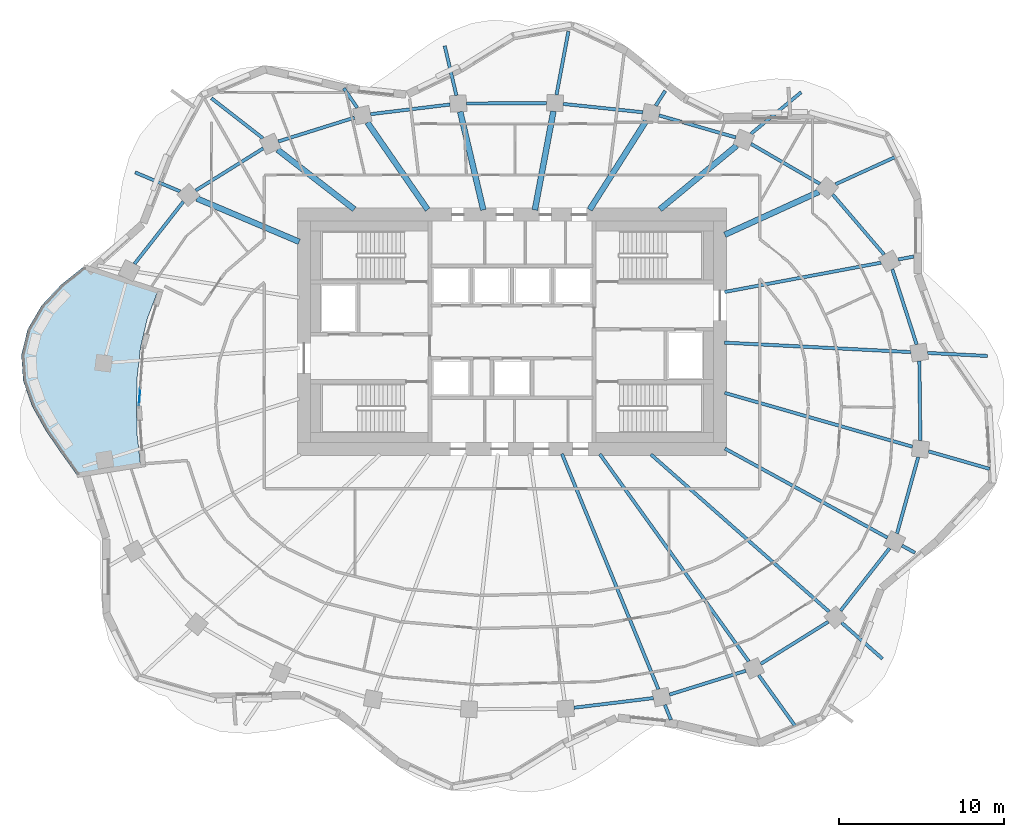
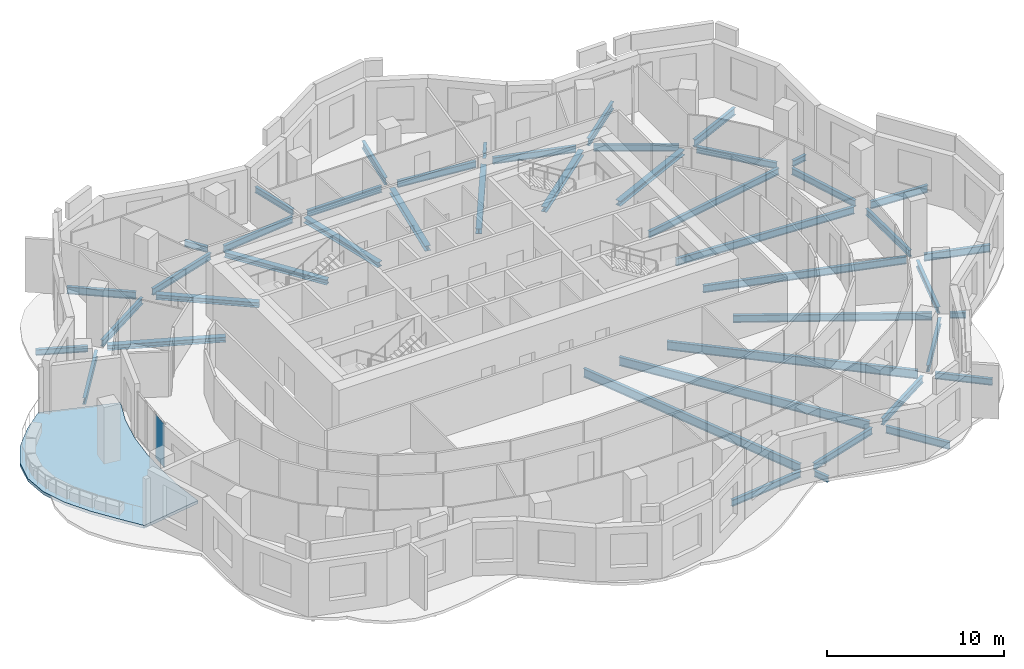
# One storey, part 3 of 13: 46 beams, 1 plate, 1 slab, 1 element without a shape of its own.
"""IFC4 building model written with IfcOpenShell, lengths in metres."""

from ifc_helpers import new_model, si_unit, direction, frame, origin, origin_2d, place, context, subcontext, project, spatial, polyline, rectangle, i_section, outline, extrude, material, layer, layer_set, material_profile, profile_set, type_object, element, aggregate, save


model = new_model("IFC4")

# Units and contexts
model_context = context("Model", 3, precision=1e-05, world=origin(), true_north=direction((0.0, 1.0)))
body_context = subcontext(model_context, "Body", "Model", "MODEL_VIEW")
ifc_project = project(units=[si_unit("LENGTHUNIT", "METRE"), si_unit("AREAUNIT", "SQUARE_METRE"), si_unit("VOLUMEUNIT", "CUBIC_METRE"), si_unit("PLANEANGLEUNIT", "RADIAN"), si_unit("MASSUNIT", "GRAM", prefix="KILO")], contexts=[model_context])

# Site, building, storey
site_placement = place(None, origin())
site = spatial("IfcSite", under=ifc_project, at=site_placement, CompositionType="ELEMENT")
building_placement = place(site_placement, origin())
building = spatial("IfcBuilding", under=site, at=building_placement, Name="Rubra Terraces Tower", CompositionType="ELEMENT")
storey_placement = place(building_placement, frame((0.0, 0.0, 209.10009765625)))
storey = spatial("IfcBuildingStorey", under=building, at=storey_placement, Name="L51", CompositionType="ELEMENT", Elevation=209.10009765625)

# Beams
ifc_material_1 = material(Name="Steel Q355B", Category="steel")
ifc_material_profile_1 = material_profile(ifc_material_1, i_section(OverallWidth=0.199951171875, OverallDepth=0.39990234375, WebThickness=0.008056640625, FlangeThickness=0.012939453125, at=origin_2d()), Name="HN 400x200x8x13")
ifc_profile_set_1 = profile_set([ifc_material_profile_1], Name="Steel Q355B")
beam_type_1 = type_object("IfcBeamType", Name="CANTILEVER BEAM HN 400x200x8x13", PredefinedType="BEAM", material=ifc_profile_set_1)
beam_1_placement = place(storey_placement, frame((-3.3701171875, 18.823974609375, -0.400146484375), z_axis=(-0.229158621159, 0.973389092988, 0.0), x_axis=(-0.973389092988, -0.229158621159, 0.0)))
element("IfcBeam", 1, at=beam_1_placement, inside=storey, type_object=beam_type_1, Name="beam-L51-cant-07", PredefinedType="BEAM", context=body_context, shape_type="SweptSolid", body=[
    extrude(i_section(OverallWidth=0.199951171875, OverallDepth=0.39990234375, WebThickness=0.008056640625, FlangeThickness=0.012939453125, at=origin_2d()), origin(), (0.0, 0.0, 1.0), 3.080078125),
])
beam_2_placement = place(storey_placement, frame((-20.10205078125, 13.0048828125, -0.400146484375), z_axis=(-0.920868185487, 0.389874062946, 0.0), x_axis=(-0.389874062946, -0.920868185487, 0.0)))
element("IfcBeam", 2, at=beam_2_placement, inside=storey, type_object=beam_type_1, Name="beam-L51-cant-10", PredefinedType="BEAM", context=body_context, shape_type="SweptSolid", body=[
    extrude(i_section(OverallWidth=0.199951171875, OverallDepth=0.39990234375, WebThickness=0.008056640625, FlangeThickness=0.012939453125, at=origin_2d()), origin(), (0.0, 0.0, 1.0), 2.9599609375),
])
ifc_material_profile_2 = material_profile(ifc_material_1, i_section(OverallWidth=0.198974609375, OverallDepth=0.446044921875, WebThickness=0.008056640625, FlangeThickness=0.011962890625, at=origin_2d()), Name="HN 446x199x8x12")
ifc_profile_set_2 = profile_set([ifc_material_profile_2], Name="Steel Q355B")
beam_type_2 = type_object("IfcBeamType", Name="CANTILEVER BEAM HN 446x199x8x12", PredefinedType="BEAM", material=ifc_profile_set_2)
beam_3_placement = place(storey_placement, frame((19.969970703125, -13.123046875, -0.423095703125), z_axis=(0.749902745466, -0.661548087702, 0.0), x_axis=(0.661548087702, 0.749902745466, 0.0)))
element("IfcBeam", 3, at=beam_3_placement, inside=storey, type_object=beam_type_2, Name="beam-L51-cant-22", PredefinedType="BEAM", context=body_context, shape_type="SweptSolid", body=[
    extrude(i_section(OverallWidth=0.198974609375, OverallDepth=0.446044921875, WebThickness=0.008056640625, FlangeThickness=0.011962890625, at=origin_2d()), origin(), (0.0, 0.0, 1.0), 3.293701171875),
])
ifc_material_profile_3 = material_profile(ifc_material_1, i_section(OverallWidth=0.198974609375, OverallDepth=0.49609375, WebThickness=0.009033203125, FlangeThickness=0.013916015625, at=origin_2d()), Name="HN 496x199x9x14")
ifc_profile_set_3 = profile_set([ifc_material_profile_3], Name="Steel Q355B")
beam_type_3 = type_object("IfcBeamType", Name="CANTILEVER BEAM HN 496x199x9x14", PredefinedType="BEAM", material=ifc_profile_set_3)
beam_4_placement = place(storey_placement, frame((25.179931640625, 3.221923828125, -0.447998046875), z_axis=(0.998713760082, -0.050703307804, 0.0), x_axis=(0.050703307804, 0.998713760082, 0.0)))
element("IfcBeam", 4, at=beam_4_placement, inside=storey, type_object=beam_type_3, Name="beam-L51-cant-01", PredefinedType="BEAM", context=body_context, shape_type="SweptSolid", body=[
    extrude(i_section(OverallWidth=0.198974609375, OverallDepth=0.49609375, WebThickness=0.009033203125, FlangeThickness=0.013916015625, at=origin_2d()), origin(), (0.0, 0.0, 1.0), 3.625732421875),
])
beam_5_placement = place(storey_placement, frame((19.596923828125, 13.43896484375, -0.447998046875), z_axis=(0.909745347317, 0.415166717157, 0.0), x_axis=(-0.415166717157, 0.909745347317, 0.0)))
element("IfcBeam", 5, at=beam_5_placement, inside=storey, type_object=beam_type_3, Name="beam-L51-cant-03", PredefinedType="BEAM", context=body_context, shape_type="SweptSolid", body=[
    extrude(i_section(OverallWidth=0.198974609375, OverallDepth=0.49609375, WebThickness=0.009033203125, FlangeThickness=0.013916015625, at=origin_2d()), origin(), (0.0, 0.0, 1.0), 3.950439453125),
])
beam_6_placement = place(storey_placement, frame((14.47509765625, 16.4951171875, -0.447998046875), z_axis=(0.770112647774, 0.637907916347, 0.0), x_axis=(-0.637907916347, 0.770112647774, 0.0)))
element("IfcBeam", 6, at=beam_6_placement, inside=storey, type_object=beam_type_3, Name="beam-L51-cant-04", PredefinedType="BEAM", context=body_context, shape_type="SweptSolid", body=[
    extrude(i_section(OverallWidth=0.198974609375, OverallDepth=0.49609375, WebThickness=0.009033203125, FlangeThickness=0.013916015625, at=origin_2d()), origin(), (0.0, 0.0, 1.0), 3.949951171875),
])
beam_7_placement = place(storey_placement, frame((2.695068359375, 18.85400390625, -0.447998046875), z_axis=(0.184533441982, 0.982826235298, 0.0), x_axis=(-0.982826235298, 0.184533441982, 0.0)))
element("IfcBeam", 7, at=beam_7_placement, inside=storey, type_object=beam_type_3, Name="beam-L51-cant-06", PredefinedType="BEAM", context=body_context, shape_type="SweptSolid", body=[
    extrude(i_section(OverallWidth=0.198974609375, OverallDepth=0.49609375, WebThickness=0.009033203125, FlangeThickness=0.013916015625, at=origin_2d()), origin(), (0.0, 0.0, 1.0), 3.912109375),
])
beam_8_placement = place(storey_placement, frame((-15.087890625, 16.22705078125, -0.447998046875), z_axis=(-0.789618379303, 0.61359825217, 0.0), x_axis=(-0.61359825217, -0.789618379303, 0.0)))
element("IfcBeam", 8, at=beam_8_placement, inside=storey, type_object=beam_type_3, Name="beam-L51-cant-09", PredefinedType="BEAM", context=body_context, shape_type="SweptSolid", body=[
    extrude(i_section(OverallWidth=0.198974609375, OverallDepth=0.49609375, WebThickness=0.009033203125, FlangeThickness=0.013916015625, at=origin_2d()), origin(), (0.0, 0.0, 1.0), 3.9501953125),
])
beam_9_placement = place(storey_placement, frame((14.93994140625, -16.294921875, -0.447998046875), z_axis=(0.583477927211, -0.812128997424, 0.0), x_axis=(0.812128997424, 0.583477927211, 0.0)))
element("IfcBeam", 9, at=beam_9_placement, inside=storey, type_object=beam_type_3, Name="beam-L51-cant-21", PredefinedType="BEAM", context=body_context, shape_type="SweptSolid", body=[
    extrude(i_section(OverallWidth=0.198974609375, OverallDepth=0.49609375, WebThickness=0.009033203125, FlangeThickness=0.013916015625, at=origin_2d()), origin(), (0.0, 0.0, 1.0), 3.9453125),
])
beam_10_placement = place(storey_placement, frame((25.22900390625, -2.738037109375, -0.447998046875), z_axis=(0.961168845491, -0.275960958213, 0.0), x_axis=(0.275960958213, 0.961168845491, 0.0)))
element("IfcBeam", 10, at=beam_10_placement, inside=storey, type_object=beam_type_3, Name="beam-L51-cant-24", PredefinedType="BEAM", context=body_context, shape_type="SweptSolid", body=[
    extrude(i_section(OverallWidth=0.198974609375, OverallDepth=0.49609375, WebThickness=0.009033203125, FlangeThickness=0.013916015625, at=origin_2d()), origin(), (0.0, 0.0, 1.0), 3.848388671875),
])
ifc_material_profile_4 = material_profile(ifc_material_1, i_section(OverallWidth=0.199951171875, OverallDepth=0.39990234375, WebThickness=0.008056640625, FlangeThickness=0.012939453125, at=origin_2d()), Name="HN 400x200x8x13")
ifc_profile_set_4 = profile_set([ifc_material_profile_4], Name="Steel Q355B")
beam_type_4 = type_object("IfcBeamType", Name="CANTILEVER STUB HN 400x200x8x13", PredefinedType="BEAM", material=ifc_profile_set_4)
beam_11_placement = place(storey_placement, frame((23.39794921875, 8.884033203125, -0.400146484375), z_axis=(0.98285471524, 0.184381693047, 0.0), x_axis=(-0.184381693047, 0.98285471524, 0.0)))
element("IfcBeam", 11, at=beam_11_placement, inside=storey, type_object=beam_type_4, Name="beam-L51-cant-02", PredefinedType="BEAM", context=body_context, shape_type="SweptSolid", body=[
    extrude(i_section(OverallWidth=0.199951171875, OverallDepth=0.39990234375, WebThickness=0.008056640625, FlangeThickness=0.012939453125, at=origin_2d()), origin(), (0.0, 0.0, 1.0), 0.949462890625),
])
beam_12_placement = place(storey_placement, frame((8.7099609375, 18.201904296875, -0.400146484375), z_axis=(0.536579593342, 0.843849714113, 0.0), x_axis=(-0.843849714113, 0.536579593342, 0.0)))
element("IfcBeam", 12, at=beam_12_placement, inside=storey, type_object=beam_type_4, Name="beam-L51-cant-05", PredefinedType="BEAM", context=body_context, shape_type="SweptSolid", body=[
    extrude(i_section(OverallWidth=0.199951171875, OverallDepth=0.39990234375, WebThickness=0.008056640625, FlangeThickness=0.012939453125, at=origin_2d()), origin(), (0.0, 0.0, 1.0), 1.06787109375),
])
beam_13_placement = place(storey_placement, frame((-9.3701171875, 18.070068359375, -0.400146484375), z_axis=(-0.568440243111, 0.822724552941, 0.0), x_axis=(-0.822724552941, -0.568440243111, 0.0)))
element("IfcBeam", 13, at=beam_13_placement, inside=storey, type_object=beam_type_4, Name="beam-L51-cant-08", PredefinedType="BEAM", context=body_context, shape_type="SweptSolid", body=[
    extrude(i_section(OverallWidth=0.199951171875, OverallDepth=0.39990234375, WebThickness=0.008056640625, FlangeThickness=0.012939453125, at=origin_2d()), origin(), (0.0, 0.0, 1.0), 1.435302734375),
])
beam_14_placement = place(storey_placement, frame((9.256103515625, -18.094970703125, -0.400146484375), z_axis=(0.378119073975, -0.925756969132, 0.0), x_axis=(0.925756969132, 0.378119073975, 0.0)))
element("IfcBeam", 14, at=beam_14_placement, inside=storey, type_object=beam_type_4, Name="beam-L51-cant-20", PredefinedType="BEAM", context=body_context, shape_type="SweptSolid", body=[
    extrude(i_section(OverallWidth=0.199951171875, OverallDepth=0.39990234375, WebThickness=0.008056640625, FlangeThickness=0.012939453125, at=origin_2d()), origin(), (0.0, 0.0, 1.0), 0.980712890625),
])
beam_15_placement = place(storey_placement, frame((23.6240234375, -8.449951171875, -0.400146484375), z_axis=(0.876376358267, -0.481626908168, 0.0), x_axis=(0.481626908168, 0.876376358267, 0.0)))
element("IfcBeam", 15, at=beam_15_placement, inside=storey, type_object=beam_type_4, Name="beam-L51-cant-23", PredefinedType="BEAM", context=body_context, shape_type="SweptSolid", body=[
    extrude(i_section(OverallWidth=0.199951171875, OverallDepth=0.39990234375, WebThickness=0.008056640625, FlangeThickness=0.012939453125, at=origin_2d()), origin(), (0.0, 0.0, 1.0), 0.899169921875),
])
ifc_material_profile_5 = material_profile(ifc_material_1, i_section(OverallWidth=0.198974609375, OverallDepth=0.446044921875, WebThickness=0.008056640625, FlangeThickness=0.011962890625, at=origin_2d()), Name="HN 446x199x8x12")
ifc_profile_set_5 = profile_set([ifc_material_profile_5], Name="Steel Q355B")
beam_type_5 = type_object("IfcBeamType", Name="FLOOR BEAM HN 446x199x8x12", PredefinedType="BEAM", material=ifc_profile_set_5)
beam_16_placement = place(storey_placement, frame((22.360107421875, 8.68994140625, -0.423095703125), z_axis=(-0.982895681695, -0.18416318553, 0.0), x_axis=(0.18416318553, -0.982895681695, 0.0)))
element("IfcBeam", 16, at=beam_16_placement, inside=storey, type_object=beam_type_5, Name="beam-L51-floor-02", PredefinedType="BEAM", context=body_context, shape_type="SweptSolid", body=[
    extrude(i_section(OverallWidth=0.198974609375, OverallDepth=0.446044921875, WebThickness=0.008056640625, FlangeThickness=0.011962890625, at=origin_2d()), origin(), (0.0, 0.0, 1.0), 9.64306640625),
])
ifc_material_profile_6 = material_profile(ifc_material_1, i_section(OverallWidth=0.198974609375, OverallDepth=0.49609375, WebThickness=0.009033203125, FlangeThickness=0.013916015625, at=origin_2d()), Name="HN 496x199x9x14")
ifc_profile_set_6 = profile_set([ifc_material_profile_6], Name="Steel Q355B")
beam_type_6 = type_object("IfcBeamType", Name="FLOOR BEAM HN 496x199x9x14", PredefinedType="BEAM", material=ifc_profile_set_6)
beam_17_placement = place(storey_placement, frame((24.157958984375, 3.27392578125, -0.447998046875), z_axis=(-0.998716228561, 0.050654662269, 0.0), x_axis=(-0.050654662269, -0.998716228561, 0.0)))
element("IfcBeam", 17, at=beam_17_placement, inside=storey, type_object=beam_type_6, Name="beam-L51-floor-01", PredefinedType="BEAM", context=body_context, shape_type="SweptSolid", body=[
    extrude(i_section(OverallWidth=0.198974609375, OverallDepth=0.49609375, WebThickness=0.009033203125, FlangeThickness=0.013916015625, at=origin_2d()), origin(), (0.0, 0.0, 1.0), 11.29248046875),
])
beam_18_placement = place(storey_placement, frame((22.74609375, -7.969970703125, -0.447998046875), z_axis=(-0.876862055903, 0.480742066932, 0.0), x_axis=(-0.480742066932, -0.876862055903, 0.0)))
element("IfcBeam", 18, at=beam_18_placement, inside=storey, type_object=beam_type_6, Name="beam-L51-floor-23", PredefinedType="BEAM", context=body_context, shape_type="SweptSolid", body=[
    extrude(i_section(OverallWidth=0.198974609375, OverallDepth=0.49609375, WebThickness=0.009033203125, FlangeThickness=0.013916015625, at=origin_2d()), origin(), (0.0, 0.0, 1.0), 11.234375),
])
beam_19_placement = place(storey_placement, frame((24.257080078125, -2.4599609375, -0.447998046875), z_axis=(-0.961215754667, 0.275797521707, 0.0), x_axis=(-0.275797521707, -0.961215754667, 0.0)))
element("IfcBeam", 19, at=beam_19_placement, inside=storey, type_object=beam_type_6, Name="beam-L51-floor-24", PredefinedType="BEAM", context=body_context, shape_type="SweptSolid", body=[
    extrude(i_section(OverallWidth=0.198974609375, OverallDepth=0.49609375, WebThickness=0.009033203125, FlangeThickness=0.013916015625, at=origin_2d()), origin(), (0.0, 0.0, 1.0), 11.830810546875),
])
ifc_material_profile_7 = material_profile(ifc_material_1, i_section(OverallWidth=0.198974609375, OverallDepth=0.595947265625, WebThickness=0.010009765625, FlangeThickness=0.014892578125, at=origin_2d()), Name="HN 596x199x10x15")
ifc_profile_set_7 = profile_set([ifc_material_profile_7], Name="Steel Q355B")
beam_type_7 = type_object("IfcBeamType", Name="FLOOR BEAM HN 596x199x10x15", PredefinedType="BEAM", material=ifc_profile_set_7)
beam_20_placement = place(storey_placement, frame((8.8701171875, -17.155029296875, -0.498046875), z_axis=(-0.379015131933, 0.925390474214, 0.0), x_axis=(-0.925390474214, -0.379015131933, 0.0)))
element("IfcBeam", 20, at=beam_20_placement, inside=storey, type_object=beam_type_7, Name="beam-L51-floor-20", PredefinedType="BEAM", context=body_context, shape_type="SweptSolid", body=[
    extrude(i_section(OverallWidth=0.198974609375, OverallDepth=0.595947265625, WebThickness=0.010009765625, FlangeThickness=0.014892578125, at=origin_2d()), origin(), (0.0, 0.0, 1.0), 15.416259765625),
])
beam_21_placement = place(storey_placement, frame((14.345947265625, -15.467041015625, -0.498046875), z_axis=(-0.583528740197, 0.812092488183, 0.0), x_axis=(-0.812092488183, -0.583528740197, 0.0)))
element("IfcBeam", 21, at=beam_21_placement, inside=storey, type_object=beam_type_7, Name="beam-L51-floor-21", PredefinedType="BEAM", context=body_context, shape_type="SweptSolid", body=[
    extrude(i_section(OverallWidth=0.198974609375, OverallDepth=0.595947265625, WebThickness=0.010009765625, FlangeThickness=0.014892578125, at=origin_2d()), origin(), (0.0, 0.0, 1.0), 15.47119140625),
])
beam_22_placement = place(storey_placement, frame((19.216064453125, -12.45703125, -0.498046875), z_axis=(-0.749823025288, 0.661638444128, 0.0), x_axis=(-0.661638444128, -0.749823025288, 0.0)))
element("IfcBeam", 22, at=beam_22_placement, inside=storey, type_object=beam_type_7, Name="beam-L51-floor-22", PredefinedType="BEAM", context=body_context, shape_type="SweptSolid", body=[
    extrude(i_section(OverallWidth=0.198974609375, OverallDepth=0.595947265625, WebThickness=0.010009765625, FlangeThickness=0.014892578125, at=origin_2d()), origin(), (0.0, 0.0, 1.0), 14.412841796875),
])
ifc_material_profile_8 = material_profile(ifc_material_1, i_section(OverallWidth=0.35009765625, OverallDepth=0.35009765625, WebThickness=0.011962890625, FlangeThickness=0.01904296875, at=origin_2d()), Name="HW 350x350x12x19")
ifc_profile_set_8 = profile_set([ifc_material_profile_8], Name="Steel Q355B")
beam_type_8 = type_object("IfcBeamType", Name="FLOOR BEAM HW 350x350x12x19", PredefinedType="BEAM", material=ifc_profile_set_8)
beam_23_placement = place(storey_placement, frame((18.5869140625, 12.97900390625, -0.375), z_axis=(-0.909756526533, -0.415142219523, 0.0), x_axis=(0.415142219523, -0.909756526533, 0.0)))
element("IfcBeam", 23, at=beam_23_placement, inside=storey, type_object=beam_type_8, Name="beam-L51-floor-03", PredefinedType="BEAM", context=body_context, shape_type="SweptSolid", body=[
    extrude(i_section(OverallWidth=0.35009765625, OverallDepth=0.35009765625, WebThickness=0.011962890625, FlangeThickness=0.01904296875, at=origin_2d()), origin(), (0.0, 0.0, 1.0), 6.2607421875),
])
beam_24_placement = place(storey_placement, frame((13.60888671875, 15.777099609375, -0.375), z_axis=(-0.769987518392, -0.638058948312, 0.0), x_axis=(0.638058948312, -0.769987518392, 0.0)))
element("IfcBeam", 24, at=beam_24_placement, inside=storey, type_object=beam_type_8, Name="beam-L51-floor-04", PredefinedType="BEAM", context=body_context, shape_type="SweptSolid", body=[
    extrude(i_section(OverallWidth=0.35009765625, OverallDepth=0.35009765625, WebThickness=0.011962890625, FlangeThickness=0.01904296875, at=origin_2d()), origin(), (0.0, 0.0, 1.0), 6.040283203125),
])
beam_25_placement = place(storey_placement, frame((8.134033203125, 17.2958984375, -0.375), z_axis=(-0.536509861106, -0.843894050776, 0.0), x_axis=(0.843894050776, -0.536509861106, 0.0)))
element("IfcBeam", 25, at=beam_25_placement, inside=storey, type_object=beam_type_8, Name="beam-L51-floor-05", PredefinedType="BEAM", context=body_context, shape_type="SweptSolid", body=[
    extrude(i_section(OverallWidth=0.35009765625, OverallDepth=0.35009765625, WebThickness=0.011962890625, FlangeThickness=0.01904296875, at=origin_2d()), origin(), (0.0, 0.0, 1.0), 6.395263671875),
])
beam_26_placement = place(storey_placement, frame((2.509033203125, 17.862060546875, -0.375), z_axis=(-0.184574398021, -0.982818544593, 0.0), x_axis=(0.982818544593, -0.184574398021, 0.0)))
element("IfcBeam", 26, at=beam_26_placement, inside=storey, type_object=beam_type_8, Name="beam-L51-floor-06", PredefinedType="BEAM", context=body_context, shape_type="SweptSolid", body=[
    extrude(i_section(OverallWidth=0.35009765625, OverallDepth=0.35009765625, WebThickness=0.011962890625, FlangeThickness=0.01904296875, at=origin_2d()), origin(), (0.0, 0.0, 1.0), 6.08447265625),
])
beam_27_placement = place(storey_placement, frame((-3.137939453125, 17.8359375, -0.375), z_axis=(0.229070485592, -0.973409837957, 0.0), x_axis=(0.973409837957, 0.229070485592, 0.0)))
element("IfcBeam", 27, at=beam_27_placement, inside=storey, type_object=beam_type_8, Name="beam-L51-floor-07", PredefinedType="BEAM", context=body_context, shape_type="SweptSolid", body=[
    extrude(i_section(OverallWidth=0.35009765625, OverallDepth=0.35009765625, WebThickness=0.011962890625, FlangeThickness=0.01904296875, at=origin_2d()), origin(), (0.0, 0.0, 1.0), 6.115478515625),
])
beam_28_placement = place(storey_placement, frame((-8.756103515625, 17.179931640625, -0.375), z_axis=(0.568186422001, -0.822899866238, 0.0), x_axis=(0.822899866238, 0.568186422001, 0.0)))
element("IfcBeam", 28, at=beam_28_placement, inside=storey, type_object=beam_type_8, Name="beam-L51-floor-08", PredefinedType="BEAM", context=body_context, shape_type="SweptSolid", body=[
    extrude(i_section(OverallWidth=0.35009765625, OverallDepth=0.35009765625, WebThickness=0.011962890625, FlangeThickness=0.01904296875, at=origin_2d()), origin(), (0.0, 0.0, 1.0), 6.415283203125),
])
beam_29_placement = place(storey_placement, frame((-14.197998046875, 15.534912109375, -0.375), z_axis=(0.789548898228, -0.613687654517, 0.0), x_axis=(0.613687654517, 0.789548898228, 0.0)))
element("IfcBeam", 29, at=beam_29_placement, inside=storey, type_object=beam_type_8, Name="beam-L51-floor-09", PredefinedType="BEAM", context=body_context, shape_type="SweptSolid", body=[
    extrude(i_section(OverallWidth=0.35009765625, OverallDepth=0.35009765625, WebThickness=0.011962890625, FlangeThickness=0.01904296875, at=origin_2d()), origin(), (0.0, 0.0, 1.0), 5.880615234375),
])
beam_30_placement = place(storey_placement, frame((-19.083984375, 12.574951171875, -0.375), z_axis=(0.92097476483, -0.38962223056, 0.0), x_axis=(0.38962223056, 0.92097476483, 0.0)))
element("IfcBeam", 30, at=beam_30_placement, inside=storey, type_object=beam_type_8, Name="beam-L51-floor-10", PredefinedType="BEAM", context=body_context, shape_type="SweptSolid", body=[
    extrude(i_section(OverallWidth=0.35009765625, OverallDepth=0.35009765625, WebThickness=0.011962890625, FlangeThickness=0.01904296875, at=origin_2d()), origin(), (0.0, 0.0, 1.0), 6.7265625),
])
ifc_material_profile_9 = material_profile(ifc_material_1, i_section(OverallWidth=0.198974609375, OverallDepth=0.446044921875, WebThickness=0.008056640625, FlangeThickness=0.011962890625, at=origin_2d()), Name="HN 446x199x8x12")
ifc_profile_set_9 = profile_set([ifc_material_profile_9], Name="Steel Q355B")
beam_type_9 = type_object("IfcBeamType", Name="SPANDREL BEAM HN 446x199x8x12", PredefinedType="SPANDREL", material=ifc_profile_set_9)
beam_31_placement = place(storey_placement, frame((24.512939453125, 3.72900390625, -0.423095703125), z_axis=(-0.307359002872, 0.951593633519, 0.0), x_axis=(-0.951593633519, -0.307359002872, 0.0)))
element("IfcBeam", 31, at=beam_31_placement, inside=storey, type_object=beam_type_9, Name="beam-L51-spandrel-01", PredefinedType="SPANDREL", context=body_context, shape_type="SweptSolid", body=[
    extrude(i_section(OverallWidth=0.198974609375, OverallDepth=0.446044921875, WebThickness=0.008056640625, FlangeThickness=0.011962890625, at=origin_2d()), origin(), (0.0, 0.0, 1.0), 4.8056640625),
])
beam_32_placement = place(storey_placement, frame((22.547119140625, 9.174072265625, -0.423095703125), z_axis=(-0.650372836218, 0.759615148552, 0.0), x_axis=(-0.759615148552, -0.650372836218, 0.0)))
element("IfcBeam", 32, at=beam_32_placement, inside=storey, type_object=beam_type_9, Name="beam-L51-spandrel-02", PredefinedType="SPANDREL", context=body_context, shape_type="SweptSolid", body=[
    extrude(i_section(OverallWidth=0.198974609375, OverallDepth=0.446044921875, WebThickness=0.008056640625, FlangeThickness=0.011962890625, at=origin_2d()), origin(), (0.0, 0.0, 1.0), 4.804931640625),
])
beam_33_placement = place(storey_placement, frame((18.653076171875, 13.462890625, -0.423095703125), z_axis=(-0.865153680787, 0.501506838059, 0.0), x_axis=(-0.501506838059, -0.865153680787, 0.0)))
element("IfcBeam", 33, at=beam_33_placement, inside=storey, type_object=beam_type_9, Name="beam-L51-spandrel-03", PredefinedType="SPANDREL", context=body_context, shape_type="SweptSolid", body=[
    extrude(i_section(OverallWidth=0.198974609375, OverallDepth=0.446044921875, WebThickness=0.008056640625, FlangeThickness=0.011962890625, at=origin_2d()), origin(), (0.0, 0.0, 1.0), 4.82568359375),
])
beam_34_placement = place(storey_placement, frame((13.55810546875, 16.27490234375, -0.423095703125), z_axis=(-0.961171164323, 0.275952881621, 0.0), x_axis=(-0.275952881621, -0.961171164323, 0.0)))
element("IfcBeam", 34, at=beam_34_placement, inside=storey, type_object=beam_type_9, Name="beam-L51-spandrel-04", PredefinedType="SPANDREL", context=body_context, shape_type="SweptSolid", body=[
    extrude(i_section(OverallWidth=0.198974609375, OverallDepth=0.446044921875, WebThickness=0.008056640625, FlangeThickness=0.011962890625, at=origin_2d()), origin(), (0.0, 0.0, 1.0), 4.842041015625),
])
beam_35_placement = place(storey_placement, frame((7.923095703125, 17.801025390625, -0.423095703125), z_axis=(-0.994565426955, 0.104113454971, 0.0), x_axis=(-0.104113454971, -0.994565426955, 0.0)))
element("IfcBeam", 35, at=beam_35_placement, inside=storey, type_object=beam_type_9, Name="beam-L51-spandrel-05", PredefinedType="SPANDREL", context=body_context, shape_type="SweptSolid", body=[
    extrude(i_section(OverallWidth=0.198974609375, OverallDepth=0.446044921875, WebThickness=0.008056640625, FlangeThickness=0.011962890625, at=origin_2d()), origin(), (0.0, 0.0, 1.0), 4.849365234375),
])
beam_36_placement = place(storey_placement, frame((2.10107421875, 18.35595703125, -0.423095703125), z_axis=(-0.999987852299, -0.004929021704, 0.0), x_axis=(0.004929021704, -0.999987852299, 0.0)))
element("IfcBeam", 36, at=beam_36_placement, inside=storey, type_object=beam_type_9, Name="beam-L51-spandrel-06", PredefinedType="SPANDREL", context=body_context, shape_type="SweptSolid", body=[
    extrude(i_section(OverallWidth=0.198974609375, OverallDepth=0.446044921875, WebThickness=0.008056640625, FlangeThickness=0.011962890625, at=origin_2d()), origin(), (0.0, 0.0, 1.0), 4.85400390625),
])
beam_37_placement = place(storey_placement, frame((-3.7509765625, 18.27001953125, -0.423095703125), z_axis=(-0.992698018573, -0.120626049929, 0.0), x_axis=(0.120626049929, -0.992698018573, 0.0)))
element("IfcBeam", 37, at=beam_37_placement, inside=storey, type_object=beam_type_9, Name="beam-L51-spandrel-07", PredefinedType="SPANDREL", context=body_context, shape_type="SweptSolid", body=[
    extrude(i_section(OverallWidth=0.198974609375, OverallDepth=0.446044921875, WebThickness=0.008056640625, FlangeThickness=0.011962890625, at=origin_2d()), origin(), (0.0, 0.0, 1.0), 4.849365234375),
])
beam_38_placement = place(storey_placement, frame((-9.5419921875, 17.47509765625, -0.423095703125), z_axis=(-0.954462027342, -0.298332429282, 0.0), x_axis=(0.298332429282, -0.954462027342, 0.0)))
element("IfcBeam", 38, at=beam_38_placement, inside=storey, type_object=beam_type_9, Name="beam-L51-spandrel-08", PredefinedType="SPANDREL", context=body_context, shape_type="SweptSolid", body=[
    extrude(i_section(OverallWidth=0.198974609375, OverallDepth=0.446044921875, WebThickness=0.008056640625, FlangeThickness=0.011962890625, at=origin_2d()), origin(), (0.0, 0.0, 1.0), 4.840576171875),
])
beam_39_placement = place(storey_placement, frame((-15.071044921875, 15.614013671875, -0.423095703125), z_axis=(-0.848183088492, -0.529703170083, 0.0), x_axis=(0.529703170083, -0.848183088492, 0.0)))
element("IfcBeam", 39, at=beam_39_placement, inside=storey, type_object=beam_type_9, Name="beam-L51-spandrel-09", PredefinedType="SPANDREL", context=body_context, shape_type="SweptSolid", body=[
    extrude(i_section(OverallWidth=0.198974609375, OverallDepth=0.446044921875, WebThickness=0.008056640625, FlangeThickness=0.011962890625, at=origin_2d()), origin(), (0.0, 0.0, 1.0), 4.8232421875),
])
beam_40_placement = place(storey_placement, frame((-19.906005859375, 12.39111328125, -0.423095703125), z_axis=(-0.617060338015, -0.786915840004, 0.0), x_axis=(0.786915840004, -0.617060338015, 0.0)))
element("IfcBeam", 40, at=beam_40_placement, inside=storey, type_object=beam_type_9, Name="beam-L51-spandrel-10", PredefinedType="SPANDREL", context=body_context, shape_type="SweptSolid", body=[
    extrude(i_section(OverallWidth=0.198974609375, OverallDepth=0.446044921875, WebThickness=0.008056640625, FlangeThickness=0.011962890625, at=origin_2d()), origin(), (0.0, 0.0, 1.0), 4.8037109375),
])
beam_41_placement = place(storey_placement, frame((3.7509765625, -18.27001953125, -0.423095703125), z_axis=(0.992698018573, 0.120626049929, 0.0), x_axis=(-0.120626049929, 0.992698018573, 0.0)))
element("IfcBeam", 41, at=beam_41_placement, inside=storey, type_object=beam_type_9, Name="beam-L51-spandrel-19", PredefinedType="SPANDREL", context=body_context, shape_type="SweptSolid", body=[
    extrude(i_section(OverallWidth=0.198974609375, OverallDepth=0.446044921875, WebThickness=0.008056640625, FlangeThickness=0.011962890625, at=origin_2d()), origin(), (0.0, 0.0, 1.0), 4.849365234375),
])
beam_42_placement = place(storey_placement, frame((9.5419921875, -17.47509765625, -0.423095703125), z_axis=(0.954462027342, 0.298332429282, 0.0), x_axis=(-0.298332429282, 0.954462027342, 0.0)))
element("IfcBeam", 42, at=beam_42_placement, inside=storey, type_object=beam_type_9, Name="beam-L51-spandrel-20", PredefinedType="SPANDREL", context=body_context, shape_type="SweptSolid", body=[
    extrude(i_section(OverallWidth=0.198974609375, OverallDepth=0.446044921875, WebThickness=0.008056640625, FlangeThickness=0.011962890625, at=origin_2d()), origin(), (0.0, 0.0, 1.0), 4.840576171875),
])
beam_43_placement = place(storey_placement, frame((15.071044921875, -15.614013671875, -0.423095703125), z_axis=(0.848183088492, 0.529703170083, 0.0), x_axis=(-0.529703170083, 0.848183088492, 0.0)))
element("IfcBeam", 43, at=beam_43_placement, inside=storey, type_object=beam_type_9, Name="beam-L51-spandrel-21", PredefinedType="SPANDREL", context=body_context, shape_type="SweptSolid", body=[
    extrude(i_section(OverallWidth=0.198974609375, OverallDepth=0.446044921875, WebThickness=0.008056640625, FlangeThickness=0.011962890625, at=origin_2d()), origin(), (0.0, 0.0, 1.0), 4.8232421875),
])
beam_44_placement = place(storey_placement, frame((19.906005859375, -12.39111328125, -0.423095703125), z_axis=(0.617060338015, 0.786915840004, 0.0), x_axis=(-0.786915840004, 0.617060338015, 0.0)))
element("IfcBeam", 44, at=beam_44_placement, inside=storey, type_object=beam_type_9, Name="beam-L51-spandrel-22", PredefinedType="SPANDREL", context=body_context, shape_type="SweptSolid", body=[
    extrude(i_section(OverallWidth=0.198974609375, OverallDepth=0.446044921875, WebThickness=0.008056640625, FlangeThickness=0.011962890625, at=origin_2d()), origin(), (0.0, 0.0, 1.0), 4.8037109375),
])
beam_45_placement = place(storey_placement, frame((23.321044921875, -7.718994140625, -0.423095703125), z_axis=(0.267625533012, 0.963523001324, 0.0), x_axis=(-0.963523001324, 0.267625533012, 0.0)))
element("IfcBeam", 45, at=beam_45_placement, inside=storey, type_object=beam_type_9, Name="beam-L51-spandrel-23", PredefinedType="SPANDREL", context=body_context, shape_type="SweptSolid", body=[
    extrude(i_section(OverallWidth=0.198974609375, OverallDepth=0.446044921875, WebThickness=0.008056640625, FlangeThickness=0.011962890625, at=origin_2d()), origin(), (0.0, 0.0, 1.0), 4.808349609375),
])
beam_46_placement = place(storey_placement, frame((24.737060546875, -2.093994140625, -0.423095703125), z_axis=(-0.012822047643, 0.999917794168, 0.0), x_axis=(-0.999917794168, -0.012822047643, 0.0)))
element("IfcBeam", 46, at=beam_46_placement, inside=storey, type_object=beam_type_9, Name="beam-L51-spandrel-24", PredefinedType="SPANDREL", context=body_context, shape_type="SweptSolid", body=[
    extrude(i_section(OverallWidth=0.198974609375, OverallDepth=0.446044921875, WebThickness=0.008056640625, FlangeThickness=0.011962890625, at=origin_2d()), origin(), (0.0, 0.0, 1.0), 4.83642578125),
])

# Slab
ifc_material_2 = material(Name="Concrete C40", Category="concrete")
ifc_layer_1 = layer(ifc_material_2, 0.199951171875)
ifc_layer_set_1 = layer_set([ifc_layer_1], Name="Concrete C40")
slab_type = type_object("IfcSlabType", Name="FLOOR SLAB 200 COMPOSITE", PredefinedType="FLOOR", material=ifc_layer_set_1)
slab_placement = place(storey_placement, frame((0.0, 0.0, -0.2001953125)))
element("IfcSlab", 47, at=slab_placement, inside=storey, type_object=slab_type, Name="TERRACE SLAB L51", PredefinedType="FLOOR", context=body_context, shape_type="SweptSolid", body=[
    extrude(outline(polyline([(-25.9599609375, 8.43505859375), (-27.302001953125, 7.363037109375), (-28.489990234375, 6.096923828125), (-29.337890625, 4.64697265625), (-29.717041015625, 3.10107421875), (-29.60595703125, 1.52587890625), (-29.06689453125, 0.0), (-28.240966796875, -1.47998046875), (-27.278076171875, -2.87890625), (-26.34912109375, -4.173095703125), (-22.4990234375, -3.56396484375), (-22.701904296875, -1.787109375), (-22.75, 0.0), (-22.701904296875, 1.787109375), (-22.4990234375, 3.56396484375), (-22.092041015625, 5.302978515625), (-21.452880859375, 6.969970703125), (-25.9599609375, 8.43505859375)])), origin(), (0.0, 0.0, 1.0), 0.2001953125),
])

# Curtain wall, plate
ifc_material_3 = material(Name="Aluminium and glass", Category="aluminium")
curtain_wall_type = type_object("IfcCurtainWallType", Name="Curtain wall Terrace glazing", PredefinedType="NOTDEFINED", material=ifc_material_3)
curtain_wall_placement = place(storey_placement, origin())
curtain_wall = element("IfcCurtainWall", 48, at=curtain_wall_placement, inside=storey, type_object=curtain_wall_type, Name="Terrace glazing L51", PredefinedType="NOTDEFINED")
ifc_material_4 = material(Name="Clear glass, laminated", Category="glass")
ifc_layer_2 = layer(ifc_material_4, 0.028076171875)
ifc_layer_set_2 = layer_set([ifc_layer_2], Name="Clear glass, laminated")
plate_type = type_object("IfcPlateType", Name="Terrace glazing glass panel 28", PredefinedType="CURTAIN_PANEL", material=ifc_layer_set_2)
plate_placement = place(storey_placement, frame((-22.5576171875, 0.595947265625, 0.099853515625), z_axis=(0.0, 0.0, 1.0), x_axis=(-0.070252480296, -0.997529242184, 0.0)))
plate = element("IfcPlate", 49, at=plate_placement, type_object=plate_type, Name="CW3 panel 3.1", PredefinedType="CURTAIN_PANEL", context=body_context, shape_type="SweptSolid", body=[
    extrude(rectangle(XDim=1.115966796875, YDim=0.028076171875, at=origin_2d()), origin(), (0.0, 0.0, 1.0), 3.00390625),
])
aggregate(curtain_wall, [plate])

save(model, "model.ifc")
